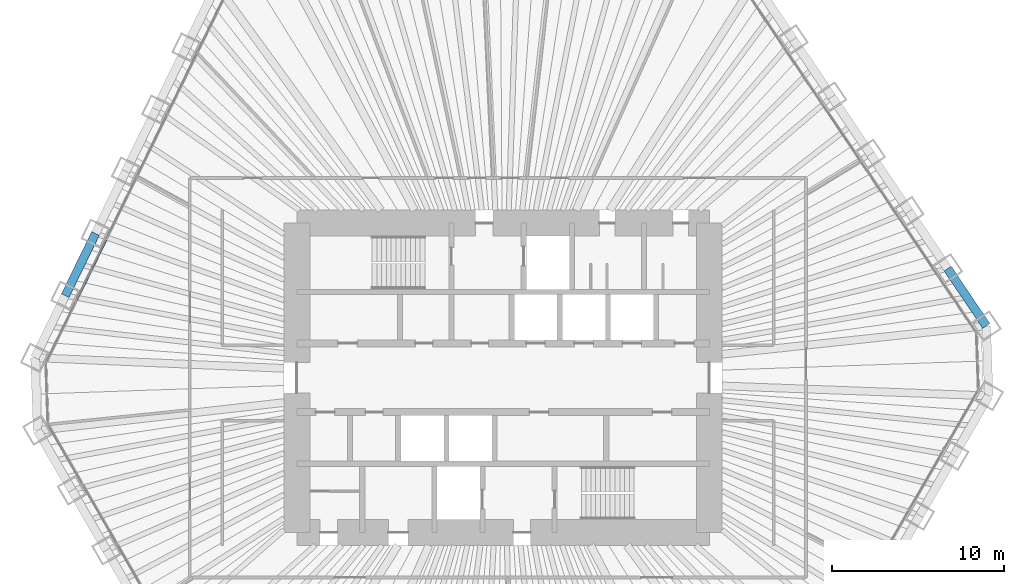
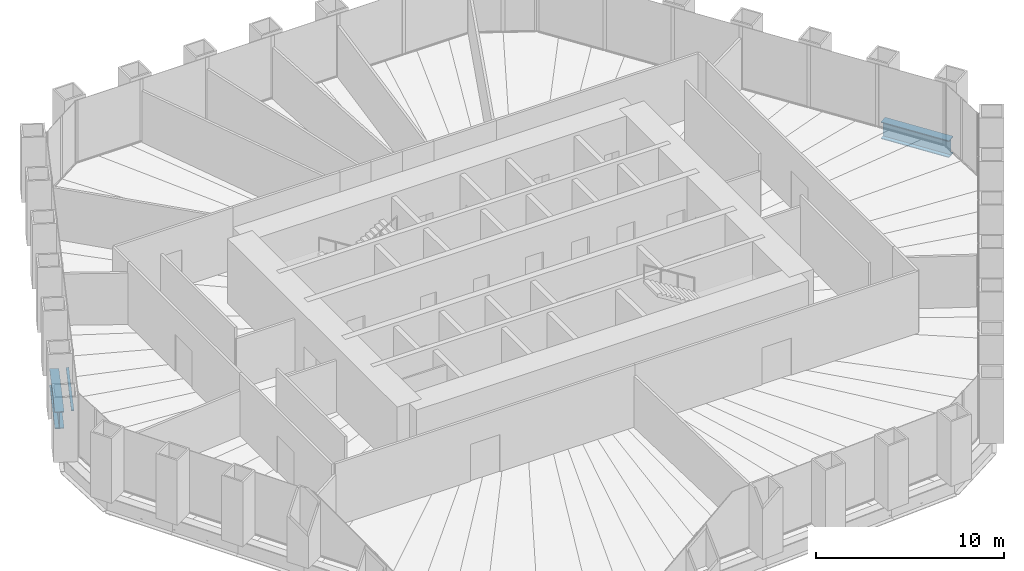
# One storey, part 5 of 13: 2 beams, 1 member, 1 element without a shape of its own.
"""IFC4 building model written with IfcOpenShell, lengths in metres."""

from ifc_helpers import new_model, si_unit, direction, frame, origin, origin_2d, place, context, subcontext, project, spatial, rectangle, i_section, extrude, material, material_profile, profile_set, type_object, element, aggregate, save


model = new_model("IFC4")

# Units and contexts
model_context = context("Model", 3, precision=1e-05, world=origin(), true_north=direction((0.0, 1.0)))
body_context = subcontext(model_context, "Body", "Model", "MODEL_VIEW")
ifc_project = project(units=[si_unit("LENGTHUNIT", "METRE"), si_unit("AREAUNIT", "SQUARE_METRE"), si_unit("VOLUMEUNIT", "CUBIC_METRE"), si_unit("PLANEANGLEUNIT", "RADIAN"), si_unit("MASSUNIT", "GRAM", prefix="KILO")], contexts=[model_context])

# Site, building, storey
site_placement = place(None, origin())
site = spatial("IfcSite", under=ifc_project, at=site_placement, CompositionType="ELEMENT")
building_placement = place(site_placement, origin())
building = spatial("IfcBuilding", under=site, at=building_placement, Name="Qingtian Harvest Tower", CompositionType="ELEMENT")
storey_placement = place(building_placement, frame((0.0, 0.0, 145.0)))
storey = spatial("IfcBuildingStorey", under=building, at=storey_placement, Name="L30", CompositionType="ELEMENT", Elevation=145.0)

# Beams
ifc_material_1 = material(Name="Steel SM570MC", Category="steel")
ifc_material_profile_1 = material_profile(ifc_material_1, i_section(OverallWidth=0.5, OverallDepth=1.10009765625, WebThickness=0.02490234375, FlangeThickness=0.050048828125, at=origin_2d()), Name="H1100x500x25x50")
ifc_profile_set_1 = profile_set([ifc_material_profile_1], Name="Steel SM570MC")
beam_type = type_object("IfcBeamType", Name="Spandrel beam SB2 H1100x500x25x50", PredefinedType="SPANDREL", material=ifc_profile_set_1)
for number, where, z_axis, x_axis, name in (
    (1, (25.8720703125, 6.3505859375, -0.550048828125), (0.55916400171, -0.829057066306, 0.0), (0.829057066306, 0.55916400171, 0.0), "Spandrel SB2 NE5"),
    (2, (-25.483154296875, 4.78125, -0.550048828125), (0.438396105405, 0.89878187274, 0.0), (-0.89878187274, 0.438396105405, 0.0), "Spandrel SB2 NW1"),
):
    element("IfcBeam", number, at=place(storey_placement, frame(where, z_axis=z_axis, x_axis=x_axis)), inside=storey, type_object=beam_type, Name=name, PredefinedType="SPANDREL", context=body_context, shape_type="SweptSolid", body=[
        extrude(i_section(OverallWidth=0.5, OverallDepth=1.10009765625, WebThickness=0.02490234375, FlangeThickness=0.050048828125, at=origin_2d()), origin(), (0.0, 0.0, 1.0), 4.01904296875),
    ])

# Curtain wall, member
ifc_material_2 = material(Name="Bronze-anodised aluminium curtain wall", Category="aluminium")
curtain_wall_type = type_object("IfcCurtainWallType", Name="Curtain wall CW4 office", PredefinedType="USERDEFINED", material=ifc_material_2)
curtain_wall_placement = place(storey_placement, origin())
curtain_wall = element("IfcCurtainWall", 3, at=curtain_wall_placement, inside=storey, type_object=curtain_wall_type, Name="Curtain wall CW4 L30 NW0-5", ObjectType="RECESSED CURTAIN WALL", PredefinedType="USERDEFINED")
ifc_material_3 = material(Name="Bronze-anodised aluminium transom", Category="aluminium")
ifc_material_profile_2 = material_profile(ifc_material_3, rectangle(XDim=0.14990234375, YDim=0.06494140625, at=origin_2d()), Name="AL 65x150")
ifc_profile_set_2 = profile_set([ifc_material_profile_2], Name="Bronze-anodised aluminium transom")
member_type = type_object("IfcMemberType", Name="Transom CWT 65x150", PredefinedType="USERDEFINED", material=ifc_profile_set_2)
member_placement = place(storey_placement, frame((-24.839599609375, 4.503662109375, 0.032470703125), z_axis=(0.438374972828, 0.898792180205, 0.0), x_axis=(-0.898792180205, 0.438374972828, 0.0)))
member = element("IfcMember", 4, at=member_placement, type_object=member_type, Name="CW4 transom 2.1", ObjectType="TRANSOM", PredefinedType="USERDEFINED", context=body_context, shape_type="SweptSolid", body=[
    extrude(rectangle(XDim=0.14990234375, YDim=0.06494140625, at=origin_2d()), origin(), (0.0, 0.0, 1.0), 3.9541015625),
])
aggregate(curtain_wall, [member])

save(model, "model.ifc")
